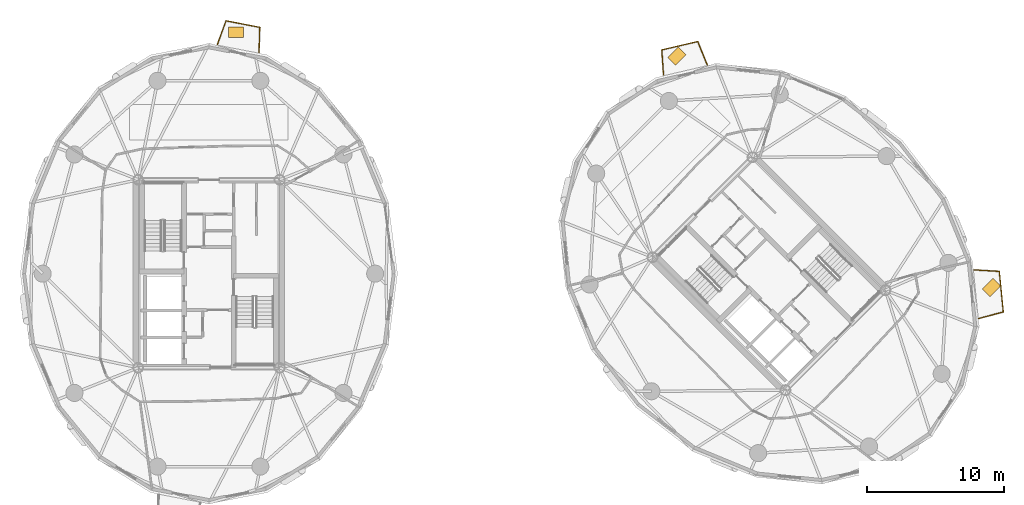
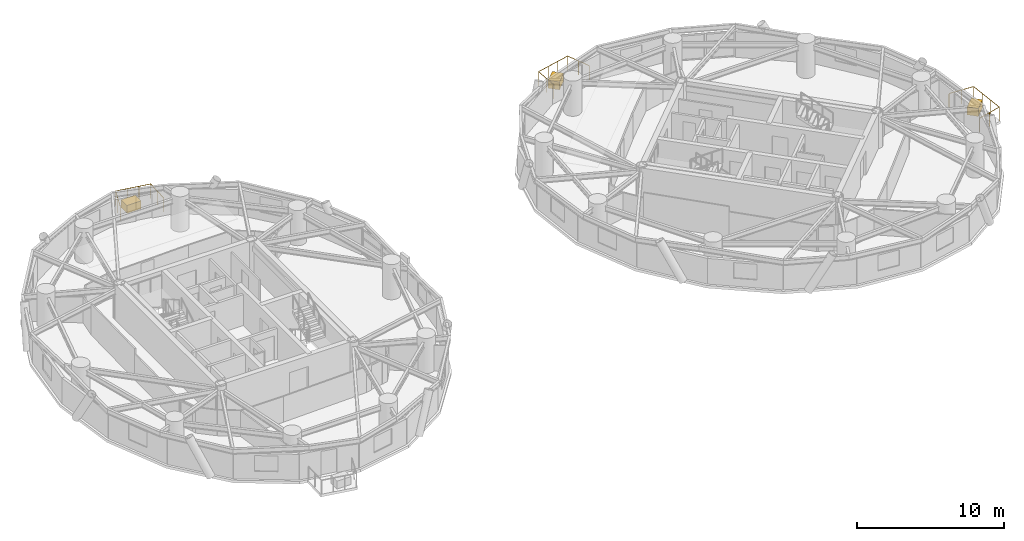
# One storey, part 15 of 15: 3 coverings, 3 railings.
"""IFC4 building model written with IfcOpenShell, lengths in metres."""

from ifc_helpers import new_model, si_unit, direction, frame, origin, origin_2d, place, context, subcontext, project, spatial, rectangle, circle, extrude, source, transform, mapped, material, layer, layer_set, type_object, element, save


model = new_model("IFC4")

# Units and contexts
model_context = context("Model", 3, precision=1e-05, world=origin(), true_north=direction((0.0, 1.0)))
body_context = subcontext(model_context, "Body", "Model", "MODEL_VIEW")
ifc_project = project(units=[si_unit("LENGTHUNIT", "METRE"), si_unit("AREAUNIT", "SQUARE_METRE"), si_unit("VOLUMEUNIT", "CUBIC_METRE"), si_unit("PLANEANGLEUNIT", "RADIAN"), si_unit("MASSUNIT", "GRAM", prefix="KILO")], contexts=[model_context])

# Site, building, storey
site_placement = place(None, origin())
site = spatial("IfcSite", under=ifc_project, at=site_placement, CompositionType="ELEMENT")
building_placement = place(site_placement, origin())
building = spatial("IfcBuilding", under=site, at=building_placement, Name="Cununo Teusaquillo Station Towers", CompositionType="ELEMENT")
storey_placement = place(building_placement, frame((0.0, 0.0, 189.429931640625)))
storey = spatial("IfcBuildingStorey", under=building, at=storey_placement, Name="L60", CompositionType="ELEMENT", Elevation=189.429931640625)

# Railings
ifc_material_1 = material(Name="Anodised dark bronze aluminium EN AW-6063-T6", Category="aluminium")
railing_type_1 = type_object("IfcRailingType", Name="RL-EXT-BALUS", PredefinedType="BALUSTRADE", material=ifc_material_1)
railing_1_placement = place(storey_placement, frame((17.116455078125, 41.27734375, 0.0)))
element("IfcRailing", 1, at=railing_1_placement, inside=storey, type_object=railing_type_1, Name="L60 Tower A Balcony Guardrail C04", PredefinedType="BALUSTRADE", context=body_context, shape_type="SweptSolid", body=[
    extrude(circle(Radius=0.02392578125, at=origin_2d()), frame((0.0, 0.0, 1.17578125), z_axis=(0.3440608985, 0.938947335117, 0.0), x_axis=(-0.938947335117, 0.3440608985, 0.0)), (0.0, 0.0, 1.0), 1.851318359375),
    extrude(circle(Radius=0.02392578125, at=origin_2d()), frame((0.636962890625, 1.73828125, 1.17578125), z_axis=(0.981842829823, -0.189696224332, 0.0), x_axis=(0.189696224332, 0.981842829823, 0.0)), (0.0, 0.0, 1.0), 2.517333984375),
    extrude(circle(Radius=0.02392578125, at=origin_2d()), frame((3.108642578125, 1.2607421875, 1.17578125), z_axis=(-0.030460792522, -0.999535962394, 0.0), x_axis=(0.999535962394, -0.030460792522, 0.0)), (0.0, 0.0, 1.0), 1.8515625),
    extrude(circle(Radius=0.02099609375, at=origin_2d()), origin(), (0.0, 0.0, 1.0), 1.15185546875),
    extrude(circle(Radius=0.02099609375, at=origin_2d()), frame((0.318359375, 0.869140625, 0.0)), (0.0, 0.0, 1.0), 1.15185546875),
    extrude(circle(Radius=0.02099609375, at=origin_2d()), frame((0.636962890625, 1.73828125, 0.0)), (0.0, 0.0, 1.0), 1.15185546875),
    extrude(circle(Radius=0.02099609375, at=origin_2d()), frame((1.4609375, 1.5791015625, 0.0)), (0.0, 0.0, 1.0), 1.15185546875),
    extrude(circle(Radius=0.02099609375, at=origin_2d()), frame((2.28466796875, 1.419921875, 0.0)), (0.0, 0.0, 1.0), 1.15185546875),
    extrude(circle(Radius=0.02099609375, at=origin_2d()), frame((3.108642578125, 1.2607421875, 0.0)), (0.0, 0.0, 1.0), 1.15185546875),
    extrude(circle(Radius=0.02099609375, at=origin_2d()), frame((3.08056640625, 0.33544921875, 0.0)), (0.0, 0.0, 1.0), 1.15185546875),
    extrude(circle(Radius=0.02099609375, at=origin_2d()), frame((3.05224609375, -0.58984375, 0.0)), (0.0, 0.0, 1.0), 1.15185546875),
])
railing_2_placement = place(storey_placement, frame((49.77978515625, 39.032958984375, 0.0)))
element("IfcRailing", 2, at=railing_2_placement, inside=storey, type_object=railing_type_1, Name="L60 Tower B Balcony Guardrail C03", PredefinedType="BALUSTRADE", context=body_context, shape_type="SweptSolid", body=[
    extrude(circle(Radius=0.02392578125, at=origin_2d()), frame((0.0, 0.0, 1.17578125), z_axis=(-0.068693698785, 0.997637797874, 0.0), x_axis=(-0.997637797874, -0.068693698785, 0.0)), (0.0, 0.0, 1.0), 1.855224609375),
    extrude(circle(Radius=0.02392578125, at=origin_2d()), frame((-0.12744140625, 1.850830078125, 1.17578125), z_axis=(0.973859874952, 0.227149606994, 0.0), x_axis=(-0.227149606994, 0.973859874952, 0.0)), (0.0, 0.0, 1.0), 2.700927734375),
    extrude(circle(Radius=0.02392578125, at=origin_2d()), frame((2.5029296875, 2.46435546875, 1.17578125), z_axis=(0.379862541108, -0.925042944875, 0.0), x_axis=(0.925042944875, 0.379862541108, 0.0)), (0.0, 0.0, 1.0), 1.854736328125),
    extrude(circle(Radius=0.02099609375, at=origin_2d()), origin(), (0.0, 0.0, 1.0), 1.15185546875),
    extrude(circle(Radius=0.02099609375, at=origin_2d()), frame((-0.063720703125, 0.92529296875, 0.0)), (0.0, 0.0, 1.0), 1.15185546875),
    extrude(circle(Radius=0.02099609375, at=origin_2d()), frame((-0.12744140625, 1.850830078125, 0.0)), (0.0, 0.0, 1.0), 1.15185546875),
    extrude(circle(Radius=0.02099609375, at=origin_2d()), frame((0.749267578125, 2.055419921875, 0.0)), (0.0, 0.0, 1.0), 1.15185546875),
    extrude(circle(Radius=0.02099609375, at=origin_2d()), frame((1.626220703125, 2.259765625, 0.0)), (0.0, 0.0, 1.0), 1.15185546875),
    extrude(circle(Radius=0.02099609375, at=origin_2d()), frame((2.5029296875, 2.46435546875, 0.0)), (0.0, 0.0, 1.0), 1.15185546875),
    extrude(circle(Radius=0.02099609375, at=origin_2d()), frame((2.855224609375, 1.6064453125, 0.0)), (0.0, 0.0, 1.0), 1.15185546875),
    extrude(circle(Radius=0.02099609375, at=origin_2d()), frame((3.20751953125, 0.74853515625, 0.0)), (0.0, 0.0, 1.0), 1.15185546875),
])
ifc_material_2 = material(Name="Anodised dark bronze aluminium EN AW-6063-T6", Category="aluminium")
railing_type_2 = type_object("IfcRailingType", Name="RL-EXT-GUARD", PredefinedType="GUARDRAIL", material=ifc_material_2)
railing_3_placement = place(storey_placement, frame((72.5068359375, 24.783447265625, 0.0)))
element("IfcRailing", 3, at=railing_3_placement, inside=storey, type_object=railing_type_2, Name="L60 Tower B Balcony Guardrail C17", PredefinedType="GUARDRAIL", context=body_context, shape_type="SweptSolid", body=[
    extrude(circle(Radius=0.02392578125, at=origin_2d()), frame((0.0, 0.0, 1.1259765625), z_axis=(0.998103815331, -0.061553016356, 0.0), x_axis=(0.061553016356, 0.998103815331, 0.0)), (0.0, 0.0, 1.0), 1.860107421875),
    extrude(circle(Radius=0.02392578125, at=origin_2d()), frame((1.856689453125, -0.114501953125, 1.1259765625), z_axis=(0.098604365732, -0.995126715076, 0.0), x_axis=(0.995126715076, 0.098604365732, 0.0)), (0.0, 0.0, 1.0), 2.983642578125),
    extrude(circle(Radius=0.02392578125, at=origin_2d()), frame((2.15087890625, -3.08349609375, 1.1259765625), z_axis=(-0.966593416032, -0.256314588121, 0.0), x_axis=(0.256314588121, -0.966593416032, 0.0)), (0.0, 0.0, 1.0), 1.8603515625),
    extrude(circle(Radius=0.02099609375, at=origin_2d()), origin(), (0.0, 0.0, 1.0), 1.101806640625),
    extrude(circle(Radius=0.02099609375, at=origin_2d()), frame((0.92822265625, -0.05712890625, 0.0)), (0.0, 0.0, 1.0), 1.101806640625),
    extrude(circle(Radius=0.02099609375, at=origin_2d()), frame((1.856689453125, -0.114501953125, 0.0)), (0.0, 0.0, 1.0), 1.101806640625),
    extrude(circle(Radius=0.02099609375, at=origin_2d()), frame((1.954833984375, -1.104248046875, 0.0)), (0.0, 0.0, 1.0), 1.101806640625),
    extrude(circle(Radius=0.02099609375, at=origin_2d()), frame((2.052734375, -2.09375, 0.0)), (0.0, 0.0, 1.0), 1.101806640625),
    extrude(circle(Radius=0.02099609375, at=origin_2d()), frame((2.15087890625, -3.08349609375, 0.0)), (0.0, 0.0, 1.0), 1.101806640625),
    extrude(circle(Radius=0.02099609375, at=origin_2d()), frame((1.251953125, -3.32177734375, 0.0)), (0.0, 0.0, 1.0), 1.101806640625),
    extrude(circle(Radius=0.02099609375, at=origin_2d()), frame((0.352783203125, -3.560302734375, 0.0)), (0.0, 0.0, 1.0), 1.101806640625),
])

# Coverings
ifc_material_3 = material(Name="Architectural GRC planter shell and engineered root-zone substrate", Category="concrete")
ifc_layer = layer(ifc_material_3, 0.64990234375)
ifc_layer_set = layer_set([ifc_layer], Name="Architectural GRC planter shell and engineered root-zone substrate")
covering_type = type_object("IfcCoveringType", Name="COV-TREE-PLANTER", PredefinedType="CLADDING", material=ifc_layer_set)
shared_shape = source(origin(), body_context, "Body", "SweptSolid", [
    extrude(rectangle(XDim=1.10009765625, YDim=0.800048828125, at=origin_2d()), origin(), (0.0, 0.0, 1.0), 0.64990234375),
])
for number, where, z_axis, x_axis, name in (
    (4, (18.48095703125, 42.17578125, 0.0), (0.0, 0.0, 1.0), (1.0, 0.0, 0.0), "L60 Tower A Balcony Tree PLANTER C04"),
    (5, (50.7490234375, 40.4326171875, 0.0), (0.0, 0.0, 1.0), (0.707106781187, 0.707106781187, 0.0), "L60 Tower B Balcony Tree PLANTER C03"),
    (6, (73.78466796875, 23.49951171875, 0.0), (0.0, 0.0, 1.0), (0.707106781187, 0.707106781187, 0.0), "L60 Tower B Balcony Tree PLANTER C17"),
):
    element("IfcCovering", number, at=place(storey_placement, frame(where, z_axis=z_axis, x_axis=x_axis)), inside=storey, type_object=covering_type, Name=name, PredefinedType="CLADDING", context=body_context, shape_type="MappedRepresentation", body=[
        mapped(shared_shape, transform((0.0, 0.0, 0.0), x_axis=(1.0, 0.0, 0.0), y_axis=(0.0, 1.0, 0.0), z_axis=(0.0, 0.0, 1.0), scale=1.0)),
    ])

save(model, "model.ifc")
